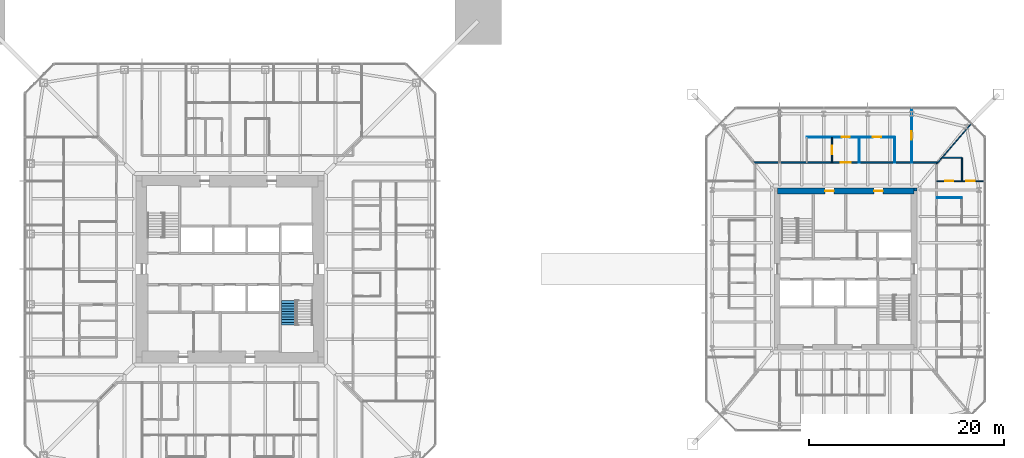
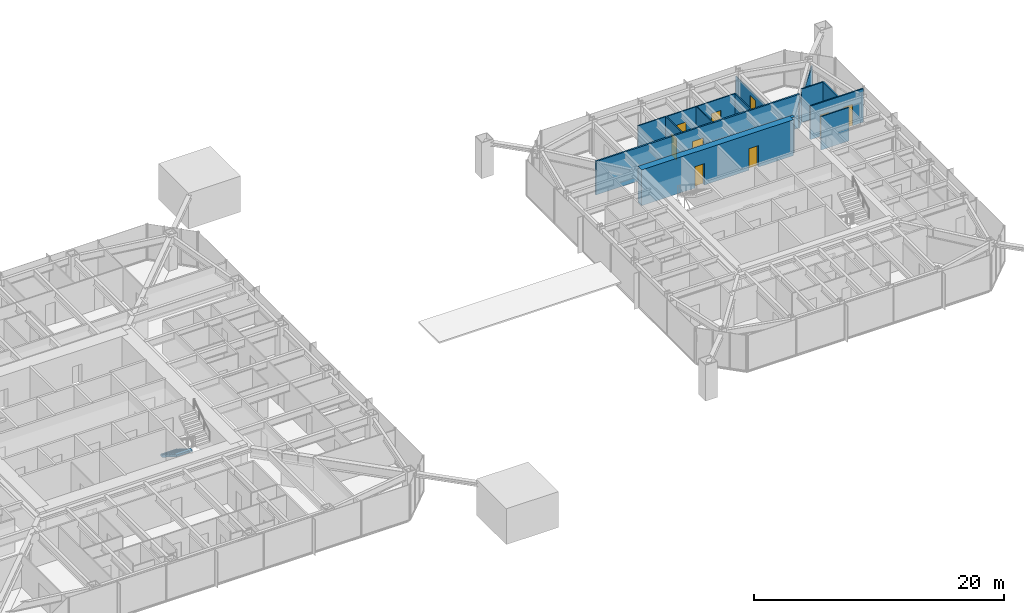
# One storey, part 19 of 25: 13 walls, 9 doors, 1 stair flight, 9 openings, 1 element without a shape of its own.
"""IFC4 building model written with IfcOpenShell, lengths in metres."""

from ifc_helpers import new_model, si_unit, direction, frame, frame_2d, origin, place, context, subcontext, project, spatial, polyline, rectangle, outline, extrude, material, layer, layer_set, constituent, constituent_set, type_object, element, fill, aggregate, save


model = new_model("IFC4")

# Units and contexts
model_context = context("Model", 3, precision=1e-05, world=origin(), true_north=direction((0.0, 1.0)))
body_context = subcontext(model_context, "Body", "Model", "MODEL_VIEW")
ifc_project = project(units=[si_unit("LENGTHUNIT", "METRE"), si_unit("AREAUNIT", "SQUARE_METRE"), si_unit("VOLUMEUNIT", "CUBIC_METRE"), si_unit("PLANEANGLEUNIT", "RADIAN"), si_unit("MASSUNIT", "GRAM", prefix="KILO")], contexts=[model_context])

# Site, building, storey
site_placement = place(None, origin())
site = spatial("IfcSite", under=ifc_project, at=site_placement, CompositionType="ELEMENT")
building_placement = place(site_placement, origin())
building = spatial("IfcBuilding", under=site, at=building_placement, Name="Iwan Alto Co-Living Towers", CompositionType="ELEMENT")
storey_placement = place(building_placement, frame((0.0, 0.0, 101.5)))
storey = spatial("IfcBuildingStorey", under=building, at=storey_placement, Name="L27", CompositionType="ELEMENT", Elevation=101.5)

# Wall, opening, door
ifc_material_1 = material(Name="Gypsum board")
ifc_layer_1 = layer(ifc_material_1, 0.02490234375, Name="Board", Category="Finish")
ifc_material_2 = material(Name="Steel ASTM A1003 ST33H cold-formed studs", Category="steel")
ifc_layer_2 = layer(ifc_material_2, 0.10009765625, Name="Studs", Category="Framing")
ifc_layer_3 = layer(ifc_material_1, 0.02490234375, Name="Board", Category="Finish")
ifc_layer_set_1 = layer_set([ifc_layer_1, ifc_layer_2, ifc_layer_3], Name="CORRIDOR WALL 150")
wall_type_1 = type_object("IfcWallType", Name="CORRIDOR WALL 150", PredefinedType="PARTITIONING", material=ifc_layer_set_1)
wall_1_placement = place(storey_placement, frame((53.5859375, 10.89990234375, 0.0), z_axis=(0.0, 0.0, 1.0), x_axis=(1.0, 0.0, 0.0)))
wall_1 = element("IfcWall", 1, at=wall_1_placement, inside=storey, type_object=wall_type_1, Name="Partition L27", PredefinedType="PARTITIONING", context=body_context, shape_type="SweptSolid", body=[
    extrude(rectangle(XDim=18.828125, YDim=0.14990234375, at=frame_2d((9.4140625, 0.0))), origin(), (0.0, 0.0, 1.0), 3.27001953125),
])
opening_1_placement = place(wall_1_placement, frame((8.9140625, 0.0, 0.0)))
opening_1 = element("IfcOpeningElement", 2, at=opening_1_placement, cuts=wall_1, Name="Opening D3", PredefinedType="OPENING", context=body_context, shape_type="SweptSolid", body=[
    extrude(rectangle(XDim=1.0, YDim=2.10009765625, at=frame_2d((0.5, 1.050048828125))), frame((0.0, 0.0849609375, 0.0), z_axis=(0.0, -1.0, 0.0), x_axis=(1.0, 0.0, 0.0)), (0.0, 0.0, 1.0), 0.169921875),
])
ifc_material_3 = material(Name="Steel frame with timber leaf", Category="steel")
door_type_1 = type_object("IfcDoorType", Name="FLAT ENTRANCE DOOR FD30S 1000X2100", OperationType="SINGLE_SWING_LEFT", PredefinedType="DOOR", material=ifc_material_3)
door_1_placement = place(opening_1_placement, origin())
door_1 = element("IfcDoor", 3, at=door_1_placement, inside=storey, type_object=door_type_1, Name="Apartment foyer door L27", OperationType="SINGLE_SWING_LEFT", OverallHeight=2.10009765625, OverallWidth=1.0, PredefinedType="DOOR", context=body_context, shape_type="SweptSolid", body=[
    extrude(rectangle(XDim=1.0, YDim=2.10009765625, at=frame_2d((0.5, 1.050048828125))), frame((0.0, 0.02490234375, 0.0), z_axis=(0.0, -1.0, 0.0), x_axis=(1.0, 0.0, 0.0)), (0.0, 0.0, 1.0), 0.050048828125),
])
fill(opening_1, door_1)

# Wall
ifc_layer_4 = layer(ifc_material_1, 0.012451171875, Name="Board", Category="Finish")
ifc_layer_5 = layer(ifc_material_2, 0.074951171875, Name="Studs", Category="Framing")
ifc_layer_6 = layer(ifc_material_1, 0.012451171875, Name="Board", Category="Finish")
ifc_layer_set_2 = layer_set([ifc_layer_4, ifc_layer_5, ifc_layer_6], Name="PARTITION 100")
wall_type_2 = type_object("IfcWallType", Name="PARTITION 100", PredefinedType="PARTITIONING", material=ifc_layer_set_2)
wall_2_placement = place(storey_placement, frame((72.300048828125, 7.300048828125, 0.0), z_axis=(0.0, 0.0, 1.0), x_axis=(1.0, 0.0, 0.0)))
element("IfcWall", 4, at=wall_2_placement, inside=storey, type_object=wall_type_2, Name="Partition L27", PredefinedType="PARTITIONING", context=body_context, shape_type="SweptSolid", body=[
    extrude(rectangle(XDim=2.599853515625, YDim=0.10009765625, at=frame_2d((1.2998046875, 0.0))), origin(), (0.0, 0.0, 1.0), 3.27001953125),
])

# Wall, openings, doors
wall_3_placement = place(storey_placement, frame((59.0, 13.5, 0.0), z_axis=(0.0, 0.0, 1.0), x_axis=(1.0, 0.0, 0.0)))
wall_3 = element("IfcWall", 5, at=wall_3_placement, inside=storey, type_object=wall_type_2, Name="Partition L27", PredefinedType="PARTITIONING", context=body_context, shape_type="SweptSolid", body=[
    extrude(rectangle(XDim=9.0, YDim=0.10009765625, at=frame_2d((4.5, 0.0))), origin(), (0.0, 0.0, 1.0), 3.27001953125),
])
opening_2_placement = place(wall_3_placement, frame((6.77490234375, 0.0, 0.0)))
opening_2 = element("IfcOpeningElement", 6, at=opening_2_placement, cuts=wall_3, Name="Opening D2", PredefinedType="OPENING", context=body_context, shape_type="SweptSolid", body=[
    extrude(rectangle(XDim=0.85009765625, YDim=2.10009765625, at=frame_2d((0.425048828125, 1.050048828125))), frame((0.0, 0.06005859375, 0.0), z_axis=(0.0, -1.0, 0.0), x_axis=(1.0, 0.0, 0.0)), (0.0, 0.0, 1.0), 0.1201171875),
])
opening_3_placement = place(wall_3_placement, frame((3.574951171875, 0.0, 0.0)))
opening_3 = element("IfcOpeningElement", 7, at=opening_3_placement, cuts=wall_3, Name="Opening D2", PredefinedType="OPENING", context=body_context, shape_type="SweptSolid", body=[
    extrude(rectangle(XDim=0.85009765625, YDim=2.10009765625, at=frame_2d((0.425048828125, 1.050048828125))), frame((0.0, 0.06005859375, 0.0), z_axis=(0.0, -1.0, 0.0), x_axis=(1.0, 0.0, 0.0)), (0.0, 0.0, 1.0), 0.1201171875),
])
ifc_material_4 = material(Name="Timber leaf in steel frame", Category="steel")
door_type_2 = type_object("IfcDoorType", Name="ROOM DOOR 850X2100", OperationType="SINGLE_SWING_LEFT", PredefinedType="DOOR", material=ifc_material_4)
door_2_placement = place(opening_2_placement, origin())
door_2 = element("IfcDoor", 8, at=door_2_placement, inside=storey, type_object=door_type_2, Name="Kitchen door L27", OperationType="SINGLE_SWING_RIGHT", OverallHeight=2.10009765625, OverallWidth=0.85009765625, PredefinedType="DOOR", context=body_context, shape_type="SweptSolid", body=[
    extrude(rectangle(XDim=0.85009765625, YDim=2.10009765625, at=frame_2d((0.425048828125, 1.050048828125))), frame((0.0, 0.02490234375, 0.0), z_axis=(0.0, -1.0, 0.0), x_axis=(1.0, 0.0, 0.0)), (0.0, 0.0, 1.0), 0.050048828125),
])
fill(opening_2, door_2)
door_3_placement = place(opening_3_placement, origin())
door_3 = element("IfcDoor", 9, at=door_3_placement, inside=storey, type_object=door_type_2, Name="Apartment foyer door L27", OperationType="SINGLE_SWING_LEFT", OverallHeight=2.10009765625, OverallWidth=0.85009765625, PredefinedType="DOOR", context=body_context, shape_type="SweptSolid", body=[
    extrude(rectangle(XDim=0.85009765625, YDim=2.10009765625, at=frame_2d((0.425048828125, 1.050048828125))), frame((0.0, 0.02490234375, 0.0), z_axis=(0.0, -1.0, 0.0), x_axis=(1.0, 0.0, 0.0)), (0.0, 0.0, 1.0), 0.050048828125),
])
fill(opening_3, door_3)

# Wall
wall_4_placement = place(storey_placement, frame((72.300048828125, 10.76806640625, 0.0), z_axis=(0.0, 0.0, 1.0), x_axis=(0.653709560919, 0.756745538449, 0.0)))
element("IfcWall", 10, at=wall_4_placement, inside=storey, type_object=wall_type_2, Name="Partition L27", PredefinedType="PARTITIONING", context=body_context, shape_type="SweptSolid", body=[
    extrude(rectangle(XDim=5.3857421875, YDim=0.10009765625, at=frame_2d((2.69287109375, 0.0))), origin(), (0.0, 0.0, 1.0), 2.42919921875),
])

# Wall, opening, door
wall_5_placement = place(storey_placement, frame((69.75, 10.89990234375, 0.0), z_axis=(0.0, 0.0, 1.0), x_axis=(0.0, 1.0, 0.0)))
wall_5 = element("IfcWall", 11, at=wall_5_placement, inside=storey, type_object=wall_type_2, Name="Partition L27", PredefinedType="PARTITIONING", context=body_context, shape_type="SweptSolid", body=[
    extrude(rectangle(XDim=5.5400390625, YDim=0.10009765625, at=frame_2d((2.77001953125, 0.0))), origin(), (0.0, 0.0, 1.0), 2.586669921875),
])
opening_4_placement = place(wall_5_placement, frame((2.344970703125, 0.0, 0.0)))
opening_4 = element("IfcOpeningElement", 12, at=opening_4_placement, cuts=wall_5, Name="Opening D2", PredefinedType="OPENING", context=body_context, shape_type="SweptSolid", body=[
    extrude(rectangle(XDim=0.85009765625, YDim=2.10009765625, at=frame_2d((0.425048828125, 1.050048828125))), frame((0.0, 0.06005859375, 0.0), z_axis=(0.0, -1.0, 0.0), x_axis=(1.0, 0.0, 0.0)), (0.0, 0.0, 1.0), 0.1201171875),
])
door_4_placement = place(opening_4_placement, origin())
door_4 = element("IfcDoor", 13, at=door_4_placement, inside=storey, type_object=door_type_2, Name="Study door L27", OperationType="SINGLE_SWING_LEFT", OverallHeight=2.10009765625, OverallWidth=0.85009765625, PredefinedType="DOOR", context=body_context, shape_type="SweptSolid", body=[
    extrude(rectangle(XDim=0.85009765625, YDim=2.10009765625, at=frame_2d((0.425048828125, 1.050048828125))), frame((0.0, 0.02490234375, 0.0), z_axis=(0.0, -1.0, 0.0), x_axis=(1.0, 0.0, 0.0)), (0.0, 0.0, 1.0), 0.050048828125),
])
fill(opening_4, door_4)

# Walls
for number, where, z_axis, x_axis, name in (
    (14, (68.0, 10.89990234375, 0.0), (0.0, 0.0, 1.0), (0.0, 1.0, 0.0), "Partition L27"),
    (15, (64.39990234375, 10.89990234375, 0.0), (0.0, 0.0, 1.0), (0.0, 1.0, 0.0), "Partition L27"),
):
    element("IfcWall", number, at=place(storey_placement, frame(where, z_axis=z_axis, x_axis=x_axis)), inside=storey, type_object=wall_type_2, Name=name, PredefinedType="PARTITIONING", context=body_context, shape_type="SweptSolid", body=[
        extrude(rectangle(XDim=2.60009765625, YDim=0.10009765625, at=frame_2d((1.300048828125, 0.0))), origin(), (0.0, 0.0, 1.0), 3.27001953125),
    ])
ifc_material_5 = material(Name="Concrete f'c 70 MPa", Category="concrete")
ifc_layer_7 = layer(ifc_material_5, 0.300048828125)
ifc_layer_set_3 = layer_set([ifc_layer_7], Name="T2 CORE CORNER FILL 300")
wall_type_3 = type_object("IfcWallType", Name="T2 CORE CORNER FILL 300", PredefinedType="SOLIDWALL", material=ifc_layer_set_3)
wall_6_placement = place(storey_placement, frame((70.0, 8.14990234375, 0.0), z_axis=(0.0, 0.0, 1.0), x_axis=(1.0, 0.0, 0.0)))
element("IfcWall", 16, at=wall_6_placement, inside=storey, type_object=wall_type_3, Name="T2 core corner NE L27", PredefinedType="SOLIDWALL", context=body_context, shape_type="SweptSolid", body=[
    extrude(rectangle(XDim=0.300048828125, YDim=0.300048828125, at=frame_2d((0.14990234375, 0.0))), origin(), (0.0, 0.0, 1.0), 3.5),
])

# Wall, openings, doors
ifc_material_6 = material(Name="Concrete f'c 70 MPa", Category="concrete")
ifc_layer_8 = layer(ifc_material_6, 0.60009765625)
ifc_layer_set_4 = layer_set([ifc_layer_8], Name="T2 CORE WALL 600")
wall_type_4 = type_object("IfcWallType", Name="T2 CORE WALL 600", PredefinedType="SHEAR", material=ifc_layer_set_4)
wall_7_placement = place(storey_placement, frame((70.0, 8.0, 0.0), z_axis=(0.0, 0.0, 1.0), x_axis=(-1.0, 0.0, 0.0)))
wall_7 = element("IfcWall", 17, at=wall_7_placement, inside=storey, type_object=wall_type_4, Name="T2 core wall N L27", PredefinedType="SHEAR", context=body_context, shape_type="SweptSolid", body=[
    extrude(rectangle(XDim=14.0, YDim=0.60009765625, at=frame_2d((7.0, 0.0))), origin(), (0.0, 0.0, 1.0), 3.5),
])
opening_5_placement = place(wall_7_placement, frame((8.199951171875, 0.0, 0.0)))
opening_5 = element("IfcOpeningElement", 18, at=opening_5_placement, cuts=wall_7, Name="Opening D8", PredefinedType="OPENING", context=body_context, shape_type="SweptSolid", body=[
    extrude(rectangle(XDim=0.89990234375, YDim=2.10009765625, at=frame_2d((0.449951171875, 1.050048828125))), frame((0.0, 0.31005859375, 0.0), z_axis=(0.0, -1.0, 0.0), x_axis=(1.0, 0.0, 0.0)), (0.0, 0.0, 1.0), 0.6201171875),
])
opening_6_placement = place(wall_7_placement, frame((3.199951171875, 0.0, 0.0)))
opening_6 = element("IfcOpeningElement", 19, at=opening_6_placement, cuts=wall_7, Name="Opening D8", PredefinedType="OPENING", context=body_context, shape_type="SweptSolid", body=[
    extrude(rectangle(XDim=0.89990234375, YDim=2.10009765625, at=frame_2d((0.449951171875, 1.050048828125))), frame((0.0, 0.31005859375, 0.0), z_axis=(0.0, -1.0, 0.0), x_axis=(1.0, 0.0, 0.0)), (0.0, 0.0, 1.0), 0.6201171875),
])
ifc_material_7 = material(Name="Steel frame with timber leaf", Category="steel")
door_type_3 = type_object("IfcDoorType", Name="RISER DOOR FD120 900X2100", OperationType="SINGLE_SWING_LEFT", PredefinedType="DOOR", material=ifc_material_7)
door_5_placement = place(opening_5_placement, origin())
door_5 = element("IfcDoor", 20, at=door_5_placement, inside=storey, type_object=door_type_3, Name="Electrical riser core door L27", OperationType="SINGLE_SWING_RIGHT", OverallHeight=2.10009765625, OverallWidth=0.89990234375, PredefinedType="DOOR", context=body_context, shape_type="SweptSolid", body=[
    extrude(rectangle(XDim=0.89990234375, YDim=2.10009765625, at=frame_2d((0.449951171875, 1.050048828125))), frame((0.0, 0.02490234375, 0.0), z_axis=(0.0, -1.0, 0.0), x_axis=(1.0, 0.0, 0.0)), (0.0, 0.0, 1.0), 0.050048828125),
])
fill(opening_5, door_5)
door_6_placement = place(opening_6_placement, origin())
door_6 = element("IfcDoor", 21, at=door_6_placement, inside=storey, type_object=door_type_3, Name="Water and drainage riser core door L27", OperationType="SINGLE_SWING_RIGHT", OverallHeight=2.10009765625, OverallWidth=0.89990234375, PredefinedType="DOOR", context=body_context, shape_type="SweptSolid", body=[
    extrude(rectangle(XDim=0.89990234375, YDim=2.10009765625, at=frame_2d((0.449951171875, 1.050048828125))), frame((0.0, 0.02490234375, 0.0), z_axis=(0.0, -1.0, 0.0), x_axis=(1.0, 0.0, 0.0)), (0.0, 0.0, 1.0), 0.050048828125),
])
fill(opening_6, door_6)

ifc_material_8 = material(Name="Cement board")
ifc_layer_9 = layer(ifc_material_8, 0.012451171875, Name="Board", Category="Finish")
ifc_layer_10 = layer(ifc_material_2, 0.094970703125, Name="Studs", Category="Framing")
ifc_layer_11 = layer(ifc_material_8, 0.012451171875, Name="Board", Category="Finish")
ifc_layer_set_5 = layer_set([ifc_layer_9, ifc_layer_10, ifc_layer_11], Name="WET AREA PARTITION 120")
wall_type_5 = type_object("IfcWallType", Name="WET AREA PARTITION 120", PredefinedType="PARTITIONING", material=ifc_layer_set_5)
wall_8_placement = place(storey_placement, frame((72.300048828125, 9.0, 0.0), z_axis=(0.0, 0.0, 1.0), x_axis=(1.0, 0.0, 0.0)))
wall_8 = element("IfcWall", 22, at=wall_8_placement, inside=storey, type_object=wall_type_5, Name="Partition L27", PredefinedType="PARTITIONING", context=body_context, shape_type="SweptSolid", body=[
    extrude(rectangle(XDim=4.889892578125, YDim=0.1201171875, at=frame_2d((2.44482421875, 0.0))), origin(), (0.0, 0.0, 1.0), 3.27001953125),
])
opening_7_placement = place(wall_8_placement, frame((0.875, 0.0, 0.0)))
opening_7 = element("IfcOpeningElement", 23, at=opening_7_placement, cuts=wall_8, Name="Opening D2", PredefinedType="OPENING", context=body_context, shape_type="SweptSolid", body=[
    extrude(rectangle(XDim=0.85009765625, YDim=2.10009765625, at=frame_2d((0.425048828125, 1.050048828125))), frame((0.0, 0.070068359375, 0.0), z_axis=(0.0, -1.0, 0.0), x_axis=(1.0, 0.0, 0.0)), (0.0, 0.0, 1.0), 0.14013671875),
])
opening_8_placement = place(wall_8_placement, frame((3.050048828125, 0.0, 0.0)))
opening_8 = element("IfcOpeningElement", 24, at=opening_8_placement, cuts=wall_8, Name="Opening D2", PredefinedType="OPENING", context=body_context, shape_type="SweptSolid", body=[
    extrude(rectangle(XDim=0.85009765625, YDim=2.10009765625, at=frame_2d((0.425048828125, 1.050048828125))), frame((0.0, 0.070068359375, 0.0), z_axis=(0.0, -1.0, 0.0), x_axis=(1.0, 0.0, 0.0)), (0.0, 0.0, 1.0), 0.14013671875),
])
door_7_placement = place(opening_7_placement, frame((0.85009765625, 0.0, 0.0), z_axis=(0.0, 0.0, 1.0), x_axis=(-1.0, 0.0, 0.0)))
door_7 = element("IfcDoor", 25, at=door_7_placement, inside=storey, type_object=door_type_2, Name="Bathroom door L27", OperationType="SINGLE_SWING_RIGHT", OverallHeight=2.10009765625, OverallWidth=0.85009765625, PredefinedType="DOOR", context=body_context, shape_type="SweptSolid", body=[
    extrude(rectangle(XDim=0.85009765625, YDim=2.10009765625, at=frame_2d((0.425048828125, 1.050048828125))), frame((0.0, 0.02490234375, 0.0), z_axis=(0.0, -1.0, 0.0), x_axis=(1.0, 0.0, 0.0)), (0.0, 0.0, 1.0), 0.050048828125),
])
fill(opening_7, door_7)
door_8_placement = place(opening_8_placement, origin())
door_8 = element("IfcDoor", 26, at=door_8_placement, inside=storey, type_object=door_type_2, Name="Bedroom door L27", OperationType="SINGLE_SWING_LEFT", OverallHeight=2.10009765625, OverallWidth=0.85009765625, PredefinedType="DOOR", context=body_context, shape_type="SweptSolid", body=[
    extrude(rectangle(XDim=0.85009765625, YDim=2.10009765625, at=frame_2d((0.425048828125, 1.050048828125))), frame((0.0, 0.02490234375, 0.0), z_axis=(0.0, -1.0, 0.0), x_axis=(1.0, 0.0, 0.0)), (0.0, 0.0, 1.0), 0.050048828125),
])
fill(opening_8, door_8)

# Walls
wall_9_placement = place(storey_placement, frame((72.844970703125, 11.39990234375, 0.0), z_axis=(0.0, 0.0, 1.0), x_axis=(1.0, 0.0, 0.0)))
element("IfcWall", 27, at=wall_9_placement, inside=storey, type_object=wall_type_5, Name="Partition L27", PredefinedType="PARTITIONING", context=body_context, shape_type="SweptSolid", body=[
    extrude(rectangle(XDim=2.054931640625, YDim=0.1201171875, at=frame_2d((1.02734375, 0.0))), origin(), (0.0, 0.0, 1.0), 3.27001953125),
])
wall_10_placement = place(storey_placement, frame((74.89990234375, 9.0, 0.0), z_axis=(0.0, 0.0, 1.0), x_axis=(0.0, 1.0, 0.0)))
element("IfcWall", 28, at=wall_10_placement, inside=storey, type_object=wall_type_5, Name="Partition L27", PredefinedType="PARTITIONING", context=body_context, shape_type="SweptSolid", body=[
    extrude(rectangle(XDim=2.39990234375, YDim=0.1201171875, at=frame_2d((1.199951171875, 0.0))), origin(), (0.0, 0.0, 1.0), 3.27001953125),
])

# Wall, opening, door
wall_11_placement = place(storey_placement, frame((61.60009765625, 10.89990234375, 0.0), z_axis=(0.0, 0.0, 1.0), x_axis=(0.0, 1.0, 0.0)))
wall_11 = element("IfcWall", 29, at=wall_11_placement, inside=storey, type_object=wall_type_5, Name="Partition L27", PredefinedType="PARTITIONING", context=body_context, shape_type="SweptSolid", body=[
    extrude(rectangle(XDim=2.60009765625, YDim=0.1201171875, at=frame_2d((1.300048828125, 0.0))), origin(), (0.0, 0.0, 1.0), 3.27001953125),
])
opening_9_placement = place(wall_11_placement, frame((0.875, 0.0, 0.0)))
opening_9 = element("IfcOpeningElement", 30, at=opening_9_placement, cuts=wall_11, Name="Opening D2", PredefinedType="OPENING", context=body_context, shape_type="SweptSolid", body=[
    extrude(rectangle(XDim=0.85009765625, YDim=2.10009765625, at=frame_2d((0.425048828125, 1.050048828125))), frame((0.0, 0.070068359375, 0.0), z_axis=(0.0, -1.0, 0.0), x_axis=(1.0, 0.0, 0.0)), (0.0, 0.0, 1.0), 0.14013671875),
])
door_9_placement = place(opening_9_placement, origin())
door_9 = element("IfcDoor", 31, at=door_9_placement, inside=storey, type_object=door_type_2, Name="Bathroom door L27", OperationType="SINGLE_SWING_LEFT", OverallHeight=2.10009765625, OverallWidth=0.85009765625, PredefinedType="DOOR", context=body_context, shape_type="SweptSolid", body=[
    extrude(rectangle(XDim=0.85009765625, YDim=2.10009765625, at=frame_2d((0.425048828125, 1.050048828125))), frame((0.0, 0.02490234375, 0.0), z_axis=(0.0, -1.0, 0.0), x_axis=(1.0, 0.0, 0.0)), (0.0, 0.0, 1.0), 0.050048828125),
])
fill(opening_9, door_9)

# Stair, stair flight
ifc_material_9 = material(Name="Steel ASTM A36", Category="steel")
ifc_constituent_1 = constituent(ifc_material_9, Name="Stringers", Category="LoadBearing")
ifc_material_10 = material(Name="Concrete f'c 30 MPa", Category="concrete")
ifc_constituent_2 = constituent(ifc_material_10, Name="Tread fill", Category="Finish")
ifc_constituent_set_1 = constituent_set(constituents=[ifc_constituent_1, ifc_constituent_2], Name="STAIR 3500 TWO-FLIGHT T1 CORE")
stair_type = type_object("IfcStairType", Name="STAIR 3500 TWO-FLIGHT T1 CORE", PredefinedType="HALF_TURN_STAIR", material=ifc_constituent_set_1)
stair_placement = place(storey_placement, origin())
stair = element("IfcStair", 32, at=stair_placement, inside=storey, type_object=stair_type, Name="Stair T1-S2 L27 to L28", PredefinedType="HALF_TURN_STAIR")
ifc_constituent_3 = constituent(ifc_material_9, Name="Stringers", Category="LoadBearing")
ifc_constituent_4 = constituent(ifc_material_10, Name="Tread fill", Category="Finish")
ifc_constituent_set_2 = constituent_set(constituents=[ifc_constituent_3, ifc_constituent_4], Name="STAIR FLIGHT 10 RISERS 280 GOING")
stair_flight_type = type_object("IfcStairFlightType", Name="STAIR FLIGHT 10 RISERS 280 GOING", PredefinedType="STRAIGHT", material=ifc_constituent_set_2)
stair_flight_placement = place(storey_placement, frame((6.010009765625, -3.219970703125, 0.0), z_axis=(0.0, 0.0, 1.0), x_axis=(0.0, -1.0, 0.0)))
stair_flight = element("IfcStairFlight", 33, at=stair_flight_placement, type_object=stair_flight_type, Name="T1-S2 flight 1", NumberOfRisers=10, NumberOfTreads=9, PredefinedType="STRAIGHT", RiserHeight=0.175, TreadLength=0.28, context=body_context, shape_type="SweptSolid", body=[
    extrude(outline(polyline([(0.0, 0.0), (0.0, 0.175048828125), (0.280029296875, 0.175048828125), (0.280029296875, 0.35009765625), (0.56005859375, 0.35009765625), (0.56005859375, 0.52490234375), (0.840087890625, 0.52490234375), (0.840087890625, 0.699951171875), (1.1201171875, 0.699951171875), (1.1201171875, 0.875), (1.39990234375, 0.875), (1.39990234375, 1.050048828125), (1.679931640625, 1.050048828125), (1.679931640625, 1.22509765625), (1.9599609375, 1.22509765625), (1.9599609375, 1.39990234375), (2.239990234375, 1.39990234375), (2.239990234375, 1.574951171875), (2.52001953125, 1.574951171875), (2.52001953125, 1.75), (2.52001953125, 1.398193359375), (0.28271484375, 0.0), (0.0, 0.0)])), frame((0.0, 0.739990234375, 0.0), z_axis=(0.0, -1.0, 0.0), x_axis=(1.0, 0.0, 0.0)), (0.0, 0.0, 1.0), 1.47998046875),
])
aggregate(stair, [stair_flight])

save(model, "model.ifc")
